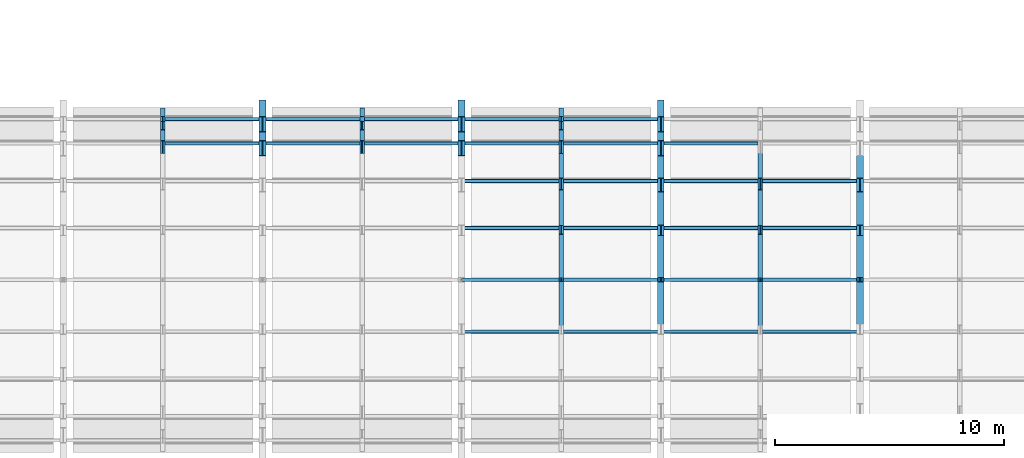
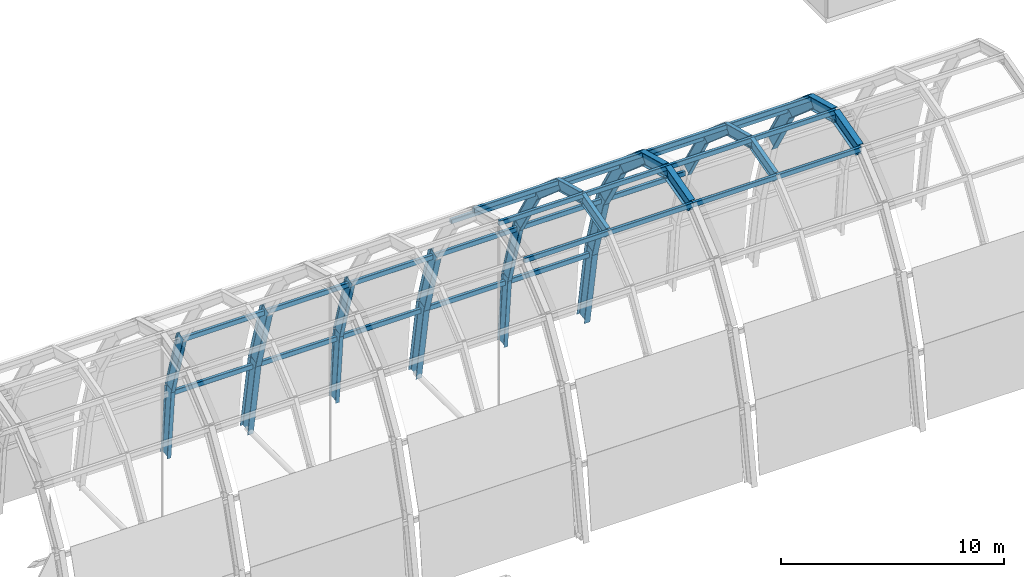
# One storey, part 8 of 13: 28 beams, 27 members.
"""IFC4 building model written with IfcOpenShell, lengths in metres."""

from ifc_helpers import new_model, si_unit, derived_unit, direction, frame, origin, origin_2d, place, context, subcontext, project, spatial, hollow_rectangle, i_section, extrude, material, material_profile, profile_set, type_object, element, save


model = new_model("IFC4")

# Units and contexts
model_context = context("Model", 3, precision=1e-05, world=origin(), true_north=direction((0.0, 1.0)))
body_context = subcontext(model_context, "Body", "Model", "MODEL_VIEW")
ifc_project = project(units=[si_unit("LENGTHUNIT", "METRE"), si_unit("AREAUNIT", "SQUARE_METRE"), si_unit("VOLUMEUNIT", "CUBIC_METRE"), si_unit("PLANEANGLEUNIT", "RADIAN"), si_unit("MASSUNIT", "GRAM", prefix="KILO"), derived_unit("THERMALTRANSMITTANCEUNIT", [(si_unit("MASSUNIT", "GRAM", prefix="KILO"), 1), (si_unit("TIMEUNIT", "SECOND"), -3), (si_unit("THERMODYNAMICTEMPERATUREUNIT", "KELVIN"), -1)])], contexts=[model_context])

# Site, building, storey
site_placement = place(None, origin())
site = spatial("IfcSite", under=ifc_project, at=site_placement, CompositionType="ELEMENT")
building_placement = place(site_placement, origin())
building = spatial("IfcBuilding", under=site, at=building_placement, Name="Qinzheling Arcade Emporium", CompositionType="ELEMENT")
storey_placement = place(building_placement, frame((0.0, 0.0, 41.10009765625)))
storey = spatial("IfcBuildingStorey", under=building, at=storey_placement, Name="RF", CompositionType="ELEMENT", Elevation=41.10009765625)

# Beams
ifc_material = material(Name="Weathering steel Q355NH", Category="steel")
ifc_material_profile_1 = material_profile(ifc_material, i_section(OverallWidth=0.199951171875, OverallDepth=0.60009765625, WebThickness=0.010986328125, FlangeThickness=0.01708984375, FilletRadius=0.02001953125, at=origin_2d()), Name="HN 600x200x11x17", Category="steel")
ifc_profile_set_1 = profile_set([ifc_material_profile_1], Name="Weathering steel Q355NH")
beam_type_1 = type_object("IfcBeamType", Name="Atrium End Arch Rib HN600 Q355NH", PredefinedType="BEAM", material=ifc_profile_set_1)
beam_1_placement = place(storey_placement, frame((65.25, 63.695068359375, 2.48583984375), z_axis=(0.0, 0.29012392853, -0.956989083581), x_axis=(-1.0, 0.0, 0.0)))
element("IfcBeam", 1, at=beam_1_placement, inside=storey, type_object=beam_type_1, Name="Atrium Sub-Rib VLT-ATRIUM-SRIB-B04-S09", PredefinedType="BEAM", context=body_context, shape_type="SweptSolid", body=[
    extrude(i_section(OverallWidth=0.199951171875, OverallDepth=0.60009765625, WebThickness=0.010986328125, FlangeThickness=0.01708984375, FilletRadius=0.02001953125, at=origin_2d()), origin(), (0.0, 0.0, 1.0), 3.60498046875),
])
beam_2_placement = place(storey_placement, frame((65.25, 64.740966796875, -0.964111328125), z_axis=(0.0, 0.093291990198, -0.995638792216), x_axis=(-1.0, 0.0, 0.0)))
element("IfcBeam", 2, at=beam_2_placement, inside=storey, type_object=beam_type_1, Name="Atrium Sub-Rib VLT-ATRIUM-SRIB-B04-S10", PredefinedType="BEAM", context=body_context, shape_type="SweptSolid", body=[
    extrude(i_section(OverallWidth=0.199951171875, OverallDepth=0.60009765625, WebThickness=0.010986328125, FlangeThickness=0.01708984375, FilletRadius=0.02001953125, at=origin_2d()), origin(), (0.0, 0.0, 1.0), 3.880859375),
])
beam_3_placement = place(storey_placement, frame((73.949951171875, 63.695068359375, 2.48583984375), z_axis=(0.0, 0.29012392853, -0.956989083581), x_axis=(-1.0, 0.0, 0.0)))
element("IfcBeam", 3, at=beam_3_placement, inside=storey, type_object=beam_type_1, Name="Atrium Sub-Rib VLT-ATRIUM-SRIB-B05-S09", PredefinedType="BEAM", context=body_context, shape_type="SweptSolid", body=[
    extrude(i_section(OverallWidth=0.199951171875, OverallDepth=0.60009765625, WebThickness=0.010986328125, FlangeThickness=0.01708984375, FilletRadius=0.02001953125, at=origin_2d()), origin(), (0.0, 0.0, 1.0), 3.60498046875),
])
beam_4_placement = place(storey_placement, frame((73.949951171875, 64.740966796875, -0.964111328125), z_axis=(0.0, 0.093291990198, -0.995638792216), x_axis=(-1.0, 0.0, 0.0)))
element("IfcBeam", 4, at=beam_4_placement, inside=storey, type_object=beam_type_1, Name="Atrium Sub-Rib VLT-ATRIUM-SRIB-B05-S10", PredefinedType="BEAM", context=body_context, shape_type="SweptSolid", body=[
    extrude(i_section(OverallWidth=0.199951171875, OverallDepth=0.60009765625, WebThickness=0.010986328125, FlangeThickness=0.01708984375, FilletRadius=0.02001953125, at=origin_2d()), origin(), (0.0, 0.0, 1.0), 3.880859375),
])
beam_5_placement = place(storey_placement, frame((82.64990234375, 55.720947265625, 6.9189453125), z_axis=(0.0, 0.966019024802, 0.258470972686), x_axis=(-1.0, 0.0, 0.0)))
element("IfcBeam", 5, at=beam_5_placement, inside=storey, type_object=beam_type_1, Name="Atrium Sub-Rib VLT-ATRIUM-SRIB-B06-S05", PredefinedType="BEAM", context=body_context, shape_type="SweptSolid", body=[
    extrude(i_section(OverallWidth=0.199951171875, OverallDepth=0.60009765625, WebThickness=0.010986328125, FlangeThickness=0.01708984375, FilletRadius=0.02001953125, at=origin_2d()), origin(), (0.0, 0.0, 1.0), 2.255615234375),
])
beam_6_placement = place(storey_placement, frame((82.64990234375, 57.89990234375, 7.501953125), z_axis=(0.0, 0.966026254712, -0.258443949838), x_axis=(-1.0, 0.0, 0.0)))
element("IfcBeam", 6, at=beam_6_placement, inside=storey, type_object=beam_type_1, Name="Atrium Sub-Rib VLT-ATRIUM-SRIB-B06-S06", PredefinedType="BEAM", context=body_context, shape_type="SweptSolid", body=[
    extrude(i_section(OverallWidth=0.199951171875, OverallDepth=0.60009765625, WebThickness=0.010986328125, FlangeThickness=0.01708984375, FilletRadius=0.02001953125, at=origin_2d()), origin(), (0.0, 0.0, 1.0), 2.255859375),
])
beam_7_placement = place(storey_placement, frame((82.64990234375, 60.0791015625, 6.9189453125), z_axis=(0.0, 0.758897005565, -0.651210668636), x_axis=(-1.0, 0.0, 0.0)))
element("IfcBeam", 7, at=beam_7_placement, inside=storey, type_object=beam_type_1, Name="Atrium Sub-Rib VLT-ATRIUM-SRIB-B06-S07", PredefinedType="BEAM", context=body_context, shape_type="SweptSolid", body=[
    extrude(i_section(OverallWidth=0.199951171875, OverallDepth=0.60009765625, WebThickness=0.010986328125, FlangeThickness=0.01708984375, FilletRadius=0.02001953125, at=origin_2d()), origin(), (0.0, 0.0, 1.0), 2.63671875),
])
beam_8_placement = place(storey_placement, frame((82.64990234375, 62.080078125, 5.201904296875), z_axis=(0.0, 0.511083106472, -0.859531301512), x_axis=(-1.0, 0.0, 0.0)))
element("IfcBeam", 8, at=beam_8_placement, inside=storey, type_object=beam_type_1, Name="Atrium Sub-Rib VLT-ATRIUM-SRIB-B06-S08", PredefinedType="BEAM", context=body_context, shape_type="SweptSolid", body=[
    extrude(i_section(OverallWidth=0.199951171875, OverallDepth=0.60009765625, WebThickness=0.010986328125, FlangeThickness=0.01708984375, FilletRadius=0.02001953125, at=origin_2d()), origin(), (0.0, 0.0, 1.0), 3.159912109375),
])
beam_9_placement = place(storey_placement, frame((82.64990234375, 63.695068359375, 2.48583984375), z_axis=(0.0, 0.29012392853, -0.956989083581), x_axis=(-1.0, 0.0, 0.0)))
element("IfcBeam", 9, at=beam_9_placement, inside=storey, type_object=beam_type_1, Name="Atrium Sub-Rib VLT-ATRIUM-SRIB-B06-S09", PredefinedType="BEAM", context=body_context, shape_type="SweptSolid", body=[
    extrude(i_section(OverallWidth=0.199951171875, OverallDepth=0.60009765625, WebThickness=0.010986328125, FlangeThickness=0.01708984375, FilletRadius=0.02001953125, at=origin_2d()), origin(), (0.0, 0.0, 1.0), 3.60498046875),
])
beam_10_placement = place(storey_placement, frame((82.64990234375, 64.740966796875, -0.964111328125), z_axis=(0.0, 0.093291990198, -0.995638792216), x_axis=(-1.0, 0.0, 0.0)))
element("IfcBeam", 10, at=beam_10_placement, inside=storey, type_object=beam_type_1, Name="Atrium Sub-Rib VLT-ATRIUM-SRIB-B06-S10", PredefinedType="BEAM", context=body_context, shape_type="SweptSolid", body=[
    extrude(i_section(OverallWidth=0.199951171875, OverallDepth=0.60009765625, WebThickness=0.010986328125, FlangeThickness=0.01708984375, FilletRadius=0.02001953125, at=origin_2d()), origin(), (0.0, 0.0, 1.0), 3.880859375),
])
beam_11_placement = place(storey_placement, frame((91.35009765625, 55.720947265625, 6.9189453125), z_axis=(0.0, 0.966019024802, 0.258470972686), x_axis=(-1.0, 0.0, 0.0)))
element("IfcBeam", 11, at=beam_11_placement, inside=storey, type_object=beam_type_1, Name="Atrium Sub-Rib VLT-ATRIUM-SRIB-B07-S05", PredefinedType="BEAM", context=body_context, shape_type="SweptSolid", body=[
    extrude(i_section(OverallWidth=0.199951171875, OverallDepth=0.60009765625, WebThickness=0.010986328125, FlangeThickness=0.01708984375, FilletRadius=0.02001953125, at=origin_2d()), origin(), (0.0, 0.0, 1.0), 2.255615234375),
])
beam_12_placement = place(storey_placement, frame((91.35009765625, 57.89990234375, 7.501953125), z_axis=(0.0, 0.966026254712, -0.258443949838), x_axis=(-1.0, 0.0, 0.0)))
element("IfcBeam", 12, at=beam_12_placement, inside=storey, type_object=beam_type_1, Name="Atrium Sub-Rib VLT-ATRIUM-SRIB-B07-S06", PredefinedType="BEAM", context=body_context, shape_type="SweptSolid", body=[
    extrude(i_section(OverallWidth=0.199951171875, OverallDepth=0.60009765625, WebThickness=0.010986328125, FlangeThickness=0.01708984375, FilletRadius=0.02001953125, at=origin_2d()), origin(), (0.0, 0.0, 1.0), 2.255859375),
])
beam_13_placement = place(storey_placement, frame((91.35009765625, 60.0791015625, 6.9189453125), z_axis=(0.0, 0.758897005565, -0.651210668636), x_axis=(-1.0, 0.0, 0.0)))
element("IfcBeam", 13, at=beam_13_placement, inside=storey, type_object=beam_type_1, Name="Atrium Sub-Rib VLT-ATRIUM-SRIB-B07-S07", PredefinedType="BEAM", context=body_context, shape_type="SweptSolid", body=[
    extrude(i_section(OverallWidth=0.199951171875, OverallDepth=0.60009765625, WebThickness=0.010986328125, FlangeThickness=0.01708984375, FilletRadius=0.02001953125, at=origin_2d()), origin(), (0.0, 0.0, 1.0), 2.63671875),
])
beam_14_placement = place(storey_placement, frame((91.35009765625, 62.080078125, 5.201904296875), z_axis=(0.0, 0.511083106472, -0.859531301512), x_axis=(-1.0, 0.0, 0.0)))
element("IfcBeam", 14, at=beam_14_placement, inside=storey, type_object=beam_type_1, Name="Atrium Sub-Rib VLT-ATRIUM-SRIB-B07-S08", PredefinedType="BEAM", context=body_context, shape_type="SweptSolid", body=[
    extrude(i_section(OverallWidth=0.199951171875, OverallDepth=0.60009765625, WebThickness=0.010986328125, FlangeThickness=0.01708984375, FilletRadius=0.02001953125, at=origin_2d()), origin(), (0.0, 0.0, 1.0), 3.159912109375),
])

# Members
ifc_material_profile_2 = material_profile(ifc_material, hollow_rectangle(XDim=0.159912109375, YDim=0.260009765625, WallThickness=0.010009765625, InnerFilletRadius=0.010009765625, OuterFilletRadius=0.02001953125, at=origin_2d()), Name="RHS 260x160x10", Category="steel")
ifc_profile_set_2 = profile_set([ifc_material_profile_2], Name="Weathering steel Q355NH")
member_type = type_object("IfcMemberType", Name="Atrium Skylight Purlin RHS260 Q355NH", PredefinedType="PURLIN", material=ifc_profile_set_2)
for number, where, z_axis, x_axis, name in (
    (15, (65.25, 63.85888671875, 2.201904296875), (1.0, 0.0, 0.0), (0.0, 1.0, 0.0), "Atrium Skylight Purlin VLT-ATRIUM-PUR-B04-N08-2"),
    (16, (65.25, 64.916015625, -1.380126953125), (1.0, 0.0, 0.0), (0.0, 1.0, 0.0), "Atrium Skylight Purlin VLT-ATRIUM-PUR-B04-N09-2"),
):
    element("IfcMember", number, at=place(storey_placement, frame(where, z_axis=z_axis, x_axis=x_axis)), inside=storey, type_object=member_type, Name=name, PredefinedType="PURLIN", context=body_context, shape_type="SweptSolid", body=[
        extrude(hollow_rectangle(XDim=0.159912109375, YDim=0.260009765625, WallThickness=0.010009765625, InnerFilletRadius=0.010009765625, OuterFilletRadius=0.02001953125, at=origin_2d()), origin(), (0.0, 0.0, 1.0), 4.35009765625),
    ])
member_1_placement = place(storey_placement, frame((69.60009765625, 63.85888671875, 2.201904296875), z_axis=(1.0, 0.0, 0.0), x_axis=(0.0, 1.0, 0.0)))
element("IfcMember", 17, at=member_1_placement, inside=storey, type_object=member_type, Name="Atrium Skylight Purlin VLT-ATRIUM-PUR-B05-N08-1", PredefinedType="PURLIN", context=body_context, shape_type="SweptSolid", body=[
    extrude(hollow_rectangle(XDim=0.159912109375, YDim=0.260009765625, WallThickness=0.010009765625, InnerFilletRadius=0.010009765625, OuterFilletRadius=0.02001953125, at=origin_2d()), origin(), (0.0, 0.0, 1.0), 4.349853515625),
])
member_2_placement = place(storey_placement, frame((73.949951171875, 63.85888671875, 2.201904296875), z_axis=(1.0, 0.0, 0.0), x_axis=(0.0, 1.0, 0.0)))
element("IfcMember", 18, at=member_2_placement, inside=storey, type_object=member_type, Name="Atrium Skylight Purlin VLT-ATRIUM-PUR-B05-N08-2", PredefinedType="PURLIN", context=body_context, shape_type="SweptSolid", body=[
    extrude(hollow_rectangle(XDim=0.159912109375, YDim=0.260009765625, WallThickness=0.010009765625, InnerFilletRadius=0.010009765625, OuterFilletRadius=0.02001953125, at=origin_2d()), origin(), (0.0, 0.0, 1.0), 4.35009765625),
])
member_3_placement = place(storey_placement, frame((69.60009765625, 64.916015625, -1.380126953125), z_axis=(1.0, 0.0, 0.0), x_axis=(0.0, 1.0, 0.0)))
element("IfcMember", 19, at=member_3_placement, inside=storey, type_object=member_type, Name="Atrium Skylight Purlin VLT-ATRIUM-PUR-B05-N09-1", PredefinedType="PURLIN", context=body_context, shape_type="SweptSolid", body=[
    extrude(hollow_rectangle(XDim=0.159912109375, YDim=0.260009765625, WallThickness=0.010009765625, InnerFilletRadius=0.010009765625, OuterFilletRadius=0.02001953125, at=origin_2d()), origin(), (0.0, 0.0, 1.0), 4.349853515625),
])
member_4_placement = place(storey_placement, frame((73.949951171875, 64.916015625, -1.380126953125), z_axis=(1.0, 0.0, 0.0), x_axis=(0.0, 1.0, 0.0)))
element("IfcMember", 20, at=member_4_placement, inside=storey, type_object=member_type, Name="Atrium Skylight Purlin VLT-ATRIUM-PUR-B05-N09-2", PredefinedType="PURLIN", context=body_context, shape_type="SweptSolid", body=[
    extrude(hollow_rectangle(XDim=0.159912109375, YDim=0.260009765625, WallThickness=0.010009765625, InnerFilletRadius=0.010009765625, OuterFilletRadius=0.02001953125, at=origin_2d()), origin(), (0.0, 0.0, 1.0), 4.35009765625),
])
member_5_placement = place(storey_placement, frame((78.300048828125, 55.635986328125, 6.98095703125), z_axis=(1.0, 0.0, 0.0), x_axis=(0.0, 1.0, 0.0)))
element("IfcMember", 21, at=member_5_placement, inside=storey, type_object=member_type, Name="Atrium Skylight Purlin VLT-ATRIUM-PUR-B06-N04-1", PredefinedType="PURLIN", context=body_context, shape_type="SweptSolid", body=[
    extrude(hollow_rectangle(XDim=0.159912109375, YDim=0.260009765625, WallThickness=0.010009765625, InnerFilletRadius=0.010009765625, OuterFilletRadius=0.02001953125, at=origin_2d()), origin(), (0.0, 0.0, 1.0), 4.349853515625),
])
member_6_placement = place(storey_placement, frame((82.64990234375, 55.635986328125, 6.98095703125), z_axis=(1.0, 0.0, 0.0), x_axis=(0.0, 1.0, 0.0)))
element("IfcMember", 22, at=member_6_placement, inside=storey, type_object=member_type, Name="Atrium Skylight Purlin VLT-ATRIUM-PUR-B06-N04-2", PredefinedType="PURLIN", context=body_context, shape_type="SweptSolid", body=[
    extrude(hollow_rectangle(XDim=0.159912109375, YDim=0.260009765625, WallThickness=0.010009765625, InnerFilletRadius=0.010009765625, OuterFilletRadius=0.02001953125, at=origin_2d()), origin(), (0.0, 0.0, 1.0), 4.35009765625),
])
member_7_placement = place(storey_placement, frame((78.300048828125, 57.89990234375, 7.64599609375), z_axis=(1.0, 0.0, 0.0), x_axis=(0.0, 1.0, 0.0)))
element("IfcMember", 23, at=member_7_placement, inside=storey, type_object=member_type, Name="Atrium Skylight Purlin VLT-ATRIUM-PUR-B06-N05-1", PredefinedType="PURLIN", context=body_context, shape_type="SweptSolid", body=[
    extrude(hollow_rectangle(XDim=0.159912109375, YDim=0.260009765625, WallThickness=0.010009765625, InnerFilletRadius=0.010009765625, OuterFilletRadius=0.02001953125, at=origin_2d()), origin(), (0.0, 0.0, 1.0), 4.349853515625),
])
member_8_placement = place(storey_placement, frame((82.64990234375, 57.89990234375, 7.64599609375), z_axis=(1.0, 0.0, 0.0), x_axis=(0.0, 1.0, 0.0)))
element("IfcMember", 24, at=member_8_placement, inside=storey, type_object=member_type, Name="Atrium Skylight Purlin VLT-ATRIUM-PUR-B06-N05-2", PredefinedType="PURLIN", context=body_context, shape_type="SweptSolid", body=[
    extrude(hollow_rectangle(XDim=0.159912109375, YDim=0.260009765625, WallThickness=0.010009765625, InnerFilletRadius=0.010009765625, OuterFilletRadius=0.02001953125, at=origin_2d()), origin(), (0.0, 0.0, 1.0), 4.35009765625),
])
member_9_placement = place(storey_placement, frame((78.300048828125, 60.1640625, 6.98095703125), z_axis=(1.0, 0.0, 0.0), x_axis=(0.0, 1.0, 0.0)))
element("IfcMember", 25, at=member_9_placement, inside=storey, type_object=member_type, Name="Atrium Skylight Purlin VLT-ATRIUM-PUR-B06-N06-1", PredefinedType="PURLIN", context=body_context, shape_type="SweptSolid", body=[
    extrude(hollow_rectangle(XDim=0.159912109375, YDim=0.260009765625, WallThickness=0.010009765625, InnerFilletRadius=0.010009765625, OuterFilletRadius=0.02001953125, at=origin_2d()), origin(), (0.0, 0.0, 1.0), 4.349853515625),
])
member_10_placement = place(storey_placement, frame((82.64990234375, 60.1640625, 6.98095703125), z_axis=(1.0, 0.0, 0.0), x_axis=(0.0, 1.0, 0.0)))
element("IfcMember", 26, at=member_10_placement, inside=storey, type_object=member_type, Name="Atrium Skylight Purlin VLT-ATRIUM-PUR-B06-N06-2", PredefinedType="PURLIN", context=body_context, shape_type="SweptSolid", body=[
    extrude(hollow_rectangle(XDim=0.159912109375, YDim=0.260009765625, WallThickness=0.010009765625, InnerFilletRadius=0.010009765625, OuterFilletRadius=0.02001953125, at=origin_2d()), origin(), (0.0, 0.0, 1.0), 4.35009765625),
])
member_11_placement = place(storey_placement, frame((78.300048828125, 62.217041015625, 5.1240234375), z_axis=(1.0, 0.0, 0.0), x_axis=(0.0, 1.0, 0.0)))
element("IfcMember", 27, at=member_11_placement, inside=storey, type_object=member_type, Name="Atrium Skylight Purlin VLT-ATRIUM-PUR-B06-N07-1", PredefinedType="PURLIN", context=body_context, shape_type="SweptSolid", body=[
    extrude(hollow_rectangle(XDim=0.159912109375, YDim=0.260009765625, WallThickness=0.010009765625, InnerFilletRadius=0.010009765625, OuterFilletRadius=0.02001953125, at=origin_2d()), origin(), (0.0, 0.0, 1.0), 4.349853515625),
])
member_12_placement = place(storey_placement, frame((82.64990234375, 62.217041015625, 5.1240234375), z_axis=(1.0, 0.0, 0.0), x_axis=(0.0, 1.0, 0.0)))
element("IfcMember", 28, at=member_12_placement, inside=storey, type_object=member_type, Name="Atrium Skylight Purlin VLT-ATRIUM-PUR-B06-N07-2", PredefinedType="PURLIN", context=body_context, shape_type="SweptSolid", body=[
    extrude(hollow_rectangle(XDim=0.159912109375, YDim=0.260009765625, WallThickness=0.010009765625, InnerFilletRadius=0.010009765625, OuterFilletRadius=0.02001953125, at=origin_2d()), origin(), (0.0, 0.0, 1.0), 4.35009765625),
])
member_13_placement = place(storey_placement, frame((78.300048828125, 63.85888671875, 2.201904296875), z_axis=(1.0, 0.0, 0.0), x_axis=(0.0, 1.0, 0.0)))
element("IfcMember", 29, at=member_13_placement, inside=storey, type_object=member_type, Name="Atrium Skylight Purlin VLT-ATRIUM-PUR-B06-N08-1", PredefinedType="PURLIN", context=body_context, shape_type="SweptSolid", body=[
    extrude(hollow_rectangle(XDim=0.159912109375, YDim=0.260009765625, WallThickness=0.010009765625, InnerFilletRadius=0.010009765625, OuterFilletRadius=0.02001953125, at=origin_2d()), origin(), (0.0, 0.0, 1.0), 4.349853515625),
])
member_14_placement = place(storey_placement, frame((82.64990234375, 63.85888671875, 2.201904296875), z_axis=(1.0, 0.0, 0.0), x_axis=(0.0, 1.0, 0.0)))
element("IfcMember", 30, at=member_14_placement, inside=storey, type_object=member_type, Name="Atrium Skylight Purlin VLT-ATRIUM-PUR-B06-N08-2", PredefinedType="PURLIN", context=body_context, shape_type="SweptSolid", body=[
    extrude(hollow_rectangle(XDim=0.159912109375, YDim=0.260009765625, WallThickness=0.010009765625, InnerFilletRadius=0.010009765625, OuterFilletRadius=0.02001953125, at=origin_2d()), origin(), (0.0, 0.0, 1.0), 4.35009765625),
])
member_15_placement = place(storey_placement, frame((78.300048828125, 64.916015625, -1.380126953125), z_axis=(1.0, 0.0, 0.0), x_axis=(0.0, 1.0, 0.0)))
element("IfcMember", 31, at=member_15_placement, inside=storey, type_object=member_type, Name="Atrium Skylight Purlin VLT-ATRIUM-PUR-B06-N09-1", PredefinedType="PURLIN", context=body_context, shape_type="SweptSolid", body=[
    extrude(hollow_rectangle(XDim=0.159912109375, YDim=0.260009765625, WallThickness=0.010009765625, InnerFilletRadius=0.010009765625, OuterFilletRadius=0.02001953125, at=origin_2d()), origin(), (0.0, 0.0, 1.0), 4.349853515625),
])
for number, where, z_axis, x_axis, name in (
    (32, (82.64990234375, 64.916015625, -1.380126953125), (1.0, 0.0, 0.0), (0.0, 1.0, 0.0), "Atrium Skylight Purlin VLT-ATRIUM-PUR-B06-N09-2"),
    (33, (87.0, 55.635986328125, 6.98095703125), (1.0, 0.0, 0.0), (0.0, 1.0, 0.0), "Atrium Skylight Purlin VLT-ATRIUM-PUR-B07-N04-1"),
):
    element("IfcMember", number, at=place(storey_placement, frame(where, z_axis=z_axis, x_axis=x_axis)), inside=storey, type_object=member_type, Name=name, PredefinedType="PURLIN", context=body_context, shape_type="SweptSolid", body=[
        extrude(hollow_rectangle(XDim=0.159912109375, YDim=0.260009765625, WallThickness=0.010009765625, InnerFilletRadius=0.010009765625, OuterFilletRadius=0.02001953125, at=origin_2d()), origin(), (0.0, 0.0, 1.0), 4.35009765625),
    ])
member_16_placement = place(storey_placement, frame((91.35009765625, 55.635986328125, 6.98095703125), z_axis=(1.0, 0.0, 0.0), x_axis=(0.0, 1.0, 0.0)))
element("IfcMember", 34, at=member_16_placement, inside=storey, type_object=member_type, Name="Atrium Skylight Purlin VLT-ATRIUM-PUR-B07-N04-2", PredefinedType="PURLIN", context=body_context, shape_type="SweptSolid", body=[
    extrude(hollow_rectangle(XDim=0.159912109375, YDim=0.260009765625, WallThickness=0.010009765625, InnerFilletRadius=0.010009765625, OuterFilletRadius=0.02001953125, at=origin_2d()), origin(), (0.0, 0.0, 1.0), 4.349853515625),
])
member_17_placement = place(storey_placement, frame((87.0, 57.89990234375, 7.64599609375), z_axis=(1.0, 0.0, 0.0), x_axis=(0.0, 1.0, 0.0)))
element("IfcMember", 35, at=member_17_placement, inside=storey, type_object=member_type, Name="Atrium Skylight Purlin VLT-ATRIUM-PUR-B07-N05-1", PredefinedType="PURLIN", context=body_context, shape_type="SweptSolid", body=[
    extrude(hollow_rectangle(XDim=0.159912109375, YDim=0.260009765625, WallThickness=0.010009765625, InnerFilletRadius=0.010009765625, OuterFilletRadius=0.02001953125, at=origin_2d()), origin(), (0.0, 0.0, 1.0), 4.35009765625),
])
member_18_placement = place(storey_placement, frame((91.35009765625, 57.89990234375, 7.64599609375), z_axis=(1.0, 0.0, 0.0), x_axis=(0.0, 1.0, 0.0)))
element("IfcMember", 36, at=member_18_placement, inside=storey, type_object=member_type, Name="Atrium Skylight Purlin VLT-ATRIUM-PUR-B07-N05-2", PredefinedType="PURLIN", context=body_context, shape_type="SweptSolid", body=[
    extrude(hollow_rectangle(XDim=0.159912109375, YDim=0.260009765625, WallThickness=0.010009765625, InnerFilletRadius=0.010009765625, OuterFilletRadius=0.02001953125, at=origin_2d()), origin(), (0.0, 0.0, 1.0), 4.349853515625),
])
member_19_placement = place(storey_placement, frame((87.0, 60.1640625, 6.98095703125), z_axis=(1.0, 0.0, 0.0), x_axis=(0.0, 1.0, 0.0)))
element("IfcMember", 37, at=member_19_placement, inside=storey, type_object=member_type, Name="Atrium Skylight Purlin VLT-ATRIUM-PUR-B07-N06-1", PredefinedType="PURLIN", context=body_context, shape_type="SweptSolid", body=[
    extrude(hollow_rectangle(XDim=0.159912109375, YDim=0.260009765625, WallThickness=0.010009765625, InnerFilletRadius=0.010009765625, OuterFilletRadius=0.02001953125, at=origin_2d()), origin(), (0.0, 0.0, 1.0), 4.35009765625),
])
member_20_placement = place(storey_placement, frame((91.35009765625, 60.1640625, 6.98095703125), z_axis=(1.0, 0.0, 0.0), x_axis=(0.0, 1.0, 0.0)))
element("IfcMember", 38, at=member_20_placement, inside=storey, type_object=member_type, Name="Atrium Skylight Purlin VLT-ATRIUM-PUR-B07-N06-2", PredefinedType="PURLIN", context=body_context, shape_type="SweptSolid", body=[
    extrude(hollow_rectangle(XDim=0.159912109375, YDim=0.260009765625, WallThickness=0.010009765625, InnerFilletRadius=0.010009765625, OuterFilletRadius=0.02001953125, at=origin_2d()), origin(), (0.0, 0.0, 1.0), 4.349853515625),
])
member_21_placement = place(storey_placement, frame((87.0, 62.217041015625, 5.1240234375), z_axis=(1.0, 0.0, 0.0), x_axis=(0.0, 1.0, 0.0)))
element("IfcMember", 39, at=member_21_placement, inside=storey, type_object=member_type, Name="Atrium Skylight Purlin VLT-ATRIUM-PUR-B07-N07-1", PredefinedType="PURLIN", context=body_context, shape_type="SweptSolid", body=[
    extrude(hollow_rectangle(XDim=0.159912109375, YDim=0.260009765625, WallThickness=0.010009765625, InnerFilletRadius=0.010009765625, OuterFilletRadius=0.02001953125, at=origin_2d()), origin(), (0.0, 0.0, 1.0), 4.35009765625),
])
member_22_placement = place(storey_placement, frame((91.35009765625, 62.217041015625, 5.1240234375), z_axis=(1.0, 0.0, 0.0), x_axis=(0.0, 1.0, 0.0)))
element("IfcMember", 40, at=member_22_placement, inside=storey, type_object=member_type, Name="Atrium Skylight Purlin VLT-ATRIUM-PUR-B07-N07-2", PredefinedType="PURLIN", context=body_context, shape_type="SweptSolid", body=[
    extrude(hollow_rectangle(XDim=0.159912109375, YDim=0.260009765625, WallThickness=0.010009765625, InnerFilletRadius=0.010009765625, OuterFilletRadius=0.02001953125, at=origin_2d()), origin(), (0.0, 0.0, 1.0), 4.349853515625),
])
member_23_placement = place(storey_placement, frame((87.0, 63.85888671875, 2.201904296875), z_axis=(1.0, 0.0, 0.0), x_axis=(0.0, 1.0, 0.0)))
element("IfcMember", 41, at=member_23_placement, inside=storey, type_object=member_type, Name="Atrium Skylight Purlin VLT-ATRIUM-PUR-B07-N08-1", PredefinedType="PURLIN", context=body_context, shape_type="SweptSolid", body=[
    extrude(hollow_rectangle(XDim=0.159912109375, YDim=0.260009765625, WallThickness=0.010009765625, InnerFilletRadius=0.010009765625, OuterFilletRadius=0.02001953125, at=origin_2d()), origin(), (0.0, 0.0, 1.0), 4.35009765625),
])

# Beams
ifc_material_profile_3 = material_profile(ifc_material, i_section(OverallWidth=0.300048828125, OverallDepth=0.699951171875, WebThickness=0.012939453125, FlangeThickness=0.02392578125, FilletRadius=0.02392578125, at=origin_2d()), Name="HN 700x300x13x24", Category="steel")
ifc_profile_set_3 = profile_set([ifc_material_profile_3], Name="Weathering steel Q355NH")
beam_type_2 = type_object("IfcBeamType", Name="Atrium Vault Arch Rib HN700 Q355NH", PredefinedType="BEAM", material=ifc_profile_set_3)
beam_15_placement = place(storey_placement, frame((69.60009765625, 63.64794921875, 2.46484375), z_axis=(0.0, 0.289977224011, -0.957033546724), x_axis=(-1.0, 0.0, 0.0)))
element("IfcBeam", 42, at=beam_15_placement, inside=storey, type_object=beam_type_2, Name="Atrium Arch Rib VLT-ATRIUM-RIB-05-S09", PredefinedType="BEAM", context=body_context, shape_type="SweptSolid", body=[
    extrude(i_section(OverallWidth=0.300048828125, OverallDepth=0.699951171875, WebThickness=0.012939453125, FlangeThickness=0.02392578125, FilletRadius=0.02392578125, at=origin_2d()), origin(), (0.0, 0.0, 1.0), 3.59326171875),
])
beam_16_placement = place(storey_placement, frame((69.60009765625, 64.68994140625, -0.97412109375), z_axis=(0.0, 0.167603896414, -0.985854418211), x_axis=(-1.0, 0.0, 0.0)))
element("IfcBeam", 43, at=beam_16_placement, inside=storey, type_object=beam_type_2, Name="Atrium Arch Rib VLT-ATRIUM-RIB-05-S10", PredefinedType="BEAM", context=body_context, shape_type="SweptSolid", body=[
    extrude(i_section(OverallWidth=0.300048828125, OverallDepth=0.699951171875, WebThickness=0.012939453125, FlangeThickness=0.02392578125, FilletRadius=0.02392578125, at=origin_2d()), origin(), (0.0, 0.0, 1.0), 4.23583984375),
])
beam_17_placement = place(storey_placement, frame((78.300048828125, 63.64794921875, 2.46484375), z_axis=(0.0, 0.289977224011, -0.957033546724), x_axis=(-1.0, 0.0, 0.0)))
element("IfcBeam", 44, at=beam_17_placement, inside=storey, type_object=beam_type_2, Name="Atrium Arch Rib VLT-ATRIUM-RIB-06-S09", PredefinedType="BEAM", context=body_context, shape_type="SweptSolid", body=[
    extrude(i_section(OverallWidth=0.300048828125, OverallDepth=0.699951171875, WebThickness=0.012939453125, FlangeThickness=0.02392578125, FilletRadius=0.02392578125, at=origin_2d()), origin(), (0.0, 0.0, 1.0), 3.59326171875),
])
beam_18_placement = place(storey_placement, frame((78.300048828125, 64.68994140625, -0.97412109375), z_axis=(0.0, 0.167603896414, -0.985854418211), x_axis=(-1.0, 0.0, 0.0)))
element("IfcBeam", 45, at=beam_18_placement, inside=storey, type_object=beam_type_2, Name="Atrium Arch Rib VLT-ATRIUM-RIB-06-S10", PredefinedType="BEAM", context=body_context, shape_type="SweptSolid", body=[
    extrude(i_section(OverallWidth=0.300048828125, OverallDepth=0.699951171875, WebThickness=0.012939453125, FlangeThickness=0.02392578125, FilletRadius=0.02392578125, at=origin_2d()), origin(), (0.0, 0.0, 1.0), 4.23583984375),
])
beam_19_placement = place(storey_placement, frame((87.0, 55.7451171875, 6.872802734375), z_axis=(0.0, 0.965950982099, 0.258725144084), x_axis=(-1.0, 0.0, 0.0)))
element("IfcBeam", 46, at=beam_19_placement, inside=storey, type_object=beam_type_2, Name="Atrium Arch Rib VLT-ATRIUM-RIB-07-S05", PredefinedType="BEAM", context=body_context, shape_type="SweptSolid", body=[
    extrude(i_section(OverallWidth=0.300048828125, OverallDepth=0.699951171875, WebThickness=0.012939453125, FlangeThickness=0.02392578125, FilletRadius=0.02392578125, at=origin_2d()), origin(), (0.0, 0.0, 1.0), 2.230712890625),
])
beam_20_placement = place(storey_placement, frame((87.0, 57.89990234375, 7.449951171875), z_axis=(0.0, 0.965958306964, -0.258697795136), x_axis=(-1.0, 0.0, 0.0)))
element("IfcBeam", 47, at=beam_20_placement, inside=storey, type_object=beam_type_2, Name="Atrium Arch Rib VLT-ATRIUM-RIB-07-S06", PredefinedType="BEAM", context=body_context, shape_type="SweptSolid", body=[
    extrude(i_section(OverallWidth=0.300048828125, OverallDepth=0.699951171875, WebThickness=0.012939453125, FlangeThickness=0.02392578125, FilletRadius=0.02392578125, at=origin_2d()), origin(), (0.0, 0.0, 1.0), 2.23095703125),
])
beam_21_placement = place(storey_placement, frame((87.0, 60.054931640625, 6.872802734375), z_axis=(0.0, 0.758815061516, -0.651306151066), x_axis=(-1.0, 0.0, 0.0)))
element("IfcBeam", 48, at=beam_21_placement, inside=storey, type_object=beam_type_2, Name="Atrium Arch Rib VLT-ATRIUM-RIB-07-S07", PredefinedType="BEAM", context=body_context, shape_type="SweptSolid", body=[
    extrude(i_section(OverallWidth=0.300048828125, OverallDepth=0.699951171875, WebThickness=0.012939453125, FlangeThickness=0.02392578125, FilletRadius=0.02392578125, at=origin_2d()), origin(), (0.0, 0.0, 1.0), 2.615966796875),
])
beam_22_placement = place(storey_placement, frame((87.0, 62.0400390625, 5.1689453125), z_axis=(0.0, 0.511090888191, -0.859526674401), x_axis=(-1.0, 0.0, 0.0)))
element("IfcBeam", 49, at=beam_22_placement, inside=storey, type_object=beam_type_2, Name="Atrium Arch Rib VLT-ATRIUM-RIB-07-S08", PredefinedType="BEAM", context=body_context, shape_type="SweptSolid", body=[
    extrude(i_section(OverallWidth=0.300048828125, OverallDepth=0.699951171875, WebThickness=0.012939453125, FlangeThickness=0.02392578125, FilletRadius=0.02392578125, at=origin_2d()), origin(), (0.0, 0.0, 1.0), 3.14599609375),
])
beam_23_placement = place(storey_placement, frame((87.0, 63.64794921875, 2.46484375), z_axis=(0.0, 0.289977224011, -0.957033546724), x_axis=(-1.0, 0.0, 0.0)))
element("IfcBeam", 50, at=beam_23_placement, inside=storey, type_object=beam_type_2, Name="Atrium Arch Rib VLT-ATRIUM-RIB-07-S09", PredefinedType="BEAM", context=body_context, shape_type="SweptSolid", body=[
    extrude(i_section(OverallWidth=0.300048828125, OverallDepth=0.699951171875, WebThickness=0.012939453125, FlangeThickness=0.02392578125, FilletRadius=0.02392578125, at=origin_2d()), origin(), (0.0, 0.0, 1.0), 3.59326171875),
])
beam_24_placement = place(storey_placement, frame((87.0, 64.68994140625, -0.97412109375), z_axis=(0.0, 0.167603896414, -0.985854418211), x_axis=(-1.0, 0.0, 0.0)))
element("IfcBeam", 51, at=beam_24_placement, inside=storey, type_object=beam_type_2, Name="Atrium Arch Rib VLT-ATRIUM-RIB-07-S10", PredefinedType="BEAM", context=body_context, shape_type="SweptSolid", body=[
    extrude(i_section(OverallWidth=0.300048828125, OverallDepth=0.699951171875, WebThickness=0.012939453125, FlangeThickness=0.02392578125, FilletRadius=0.02392578125, at=origin_2d()), origin(), (0.0, 0.0, 1.0), 4.23583984375),
])
beam_25_placement = place(storey_placement, frame((95.699951171875, 55.7451171875, 6.872802734375), z_axis=(0.0, 0.965950982099, 0.258725144084), x_axis=(-1.0, 0.0, 0.0)))
element("IfcBeam", 52, at=beam_25_placement, inside=storey, type_object=beam_type_2, Name="Atrium Arch Rib VLT-ATRIUM-RIB-08-S05", PredefinedType="BEAM", context=body_context, shape_type="SweptSolid", body=[
    extrude(i_section(OverallWidth=0.300048828125, OverallDepth=0.699951171875, WebThickness=0.012939453125, FlangeThickness=0.02392578125, FilletRadius=0.02392578125, at=origin_2d()), origin(), (0.0, 0.0, 1.0), 2.230712890625),
])
beam_26_placement = place(storey_placement, frame((95.699951171875, 57.89990234375, 7.449951171875), z_axis=(0.0, 0.965958306964, -0.258697795136), x_axis=(-1.0, 0.0, 0.0)))
element("IfcBeam", 53, at=beam_26_placement, inside=storey, type_object=beam_type_2, Name="Atrium Arch Rib VLT-ATRIUM-RIB-08-S06", PredefinedType="BEAM", context=body_context, shape_type="SweptSolid", body=[
    extrude(i_section(OverallWidth=0.300048828125, OverallDepth=0.699951171875, WebThickness=0.012939453125, FlangeThickness=0.02392578125, FilletRadius=0.02392578125, at=origin_2d()), origin(), (0.0, 0.0, 1.0), 2.23095703125),
])
beam_27_placement = place(storey_placement, frame((95.699951171875, 60.054931640625, 6.872802734375), z_axis=(0.0, 0.758815061516, -0.651306151066), x_axis=(-1.0, 0.0, 0.0)))
element("IfcBeam", 54, at=beam_27_placement, inside=storey, type_object=beam_type_2, Name="Atrium Arch Rib VLT-ATRIUM-RIB-08-S07", PredefinedType="BEAM", context=body_context, shape_type="SweptSolid", body=[
    extrude(i_section(OverallWidth=0.300048828125, OverallDepth=0.699951171875, WebThickness=0.012939453125, FlangeThickness=0.02392578125, FilletRadius=0.02392578125, at=origin_2d()), origin(), (0.0, 0.0, 1.0), 2.615966796875),
])
beam_28_placement = place(storey_placement, frame((95.699951171875, 62.0400390625, 5.1689453125), z_axis=(0.0, 0.511090888191, -0.859526674401), x_axis=(-1.0, 0.0, 0.0)))
element("IfcBeam", 55, at=beam_28_placement, inside=storey, type_object=beam_type_2, Name="Atrium Arch Rib VLT-ATRIUM-RIB-08-S08", PredefinedType="BEAM", context=body_context, shape_type="SweptSolid", body=[
    extrude(i_section(OverallWidth=0.300048828125, OverallDepth=0.699951171875, WebThickness=0.012939453125, FlangeThickness=0.02392578125, FilletRadius=0.02392578125, at=origin_2d()), origin(), (0.0, 0.0, 1.0), 3.14599609375),
])

save(model, "model.ifc")
